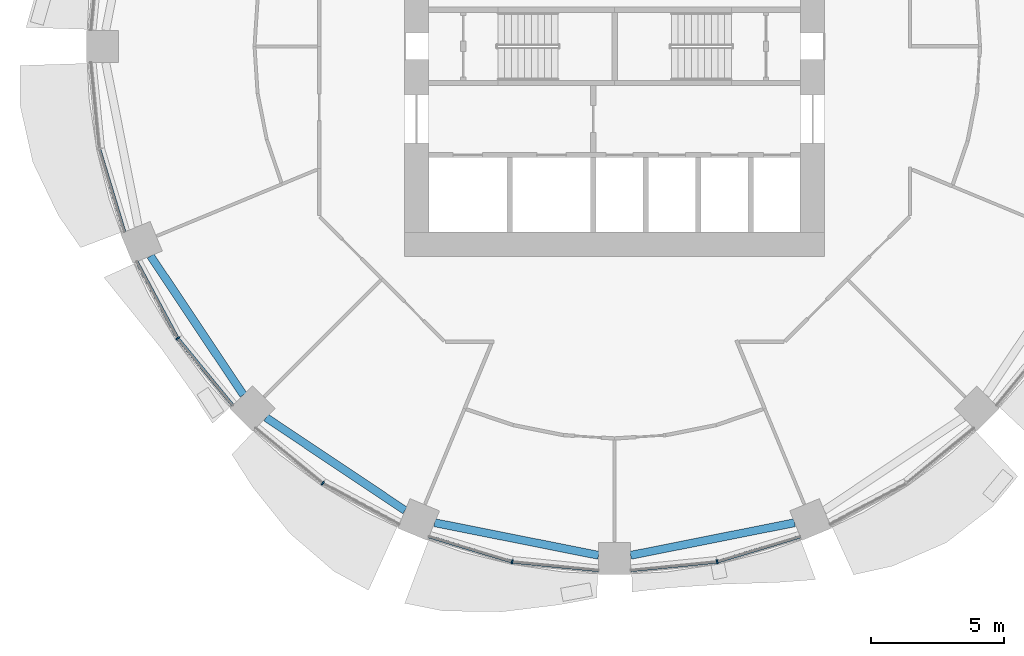
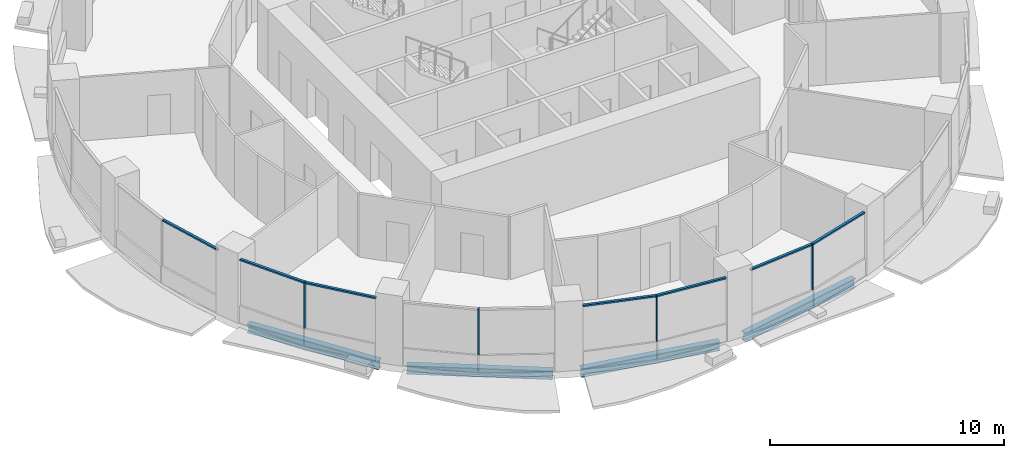
# One storey, part 2 of 15: 11 members, 4 beams, 5 elements without a shape of their own.
"""IFC4 building model written with IfcOpenShell, lengths in metres."""

from ifc_helpers import new_model, si_unit, direction, frame, origin, origin_2d, place, context, subcontext, project, spatial, rectangle, i_section, extrude, material, material_profile, profile_set, type_object, element, aggregate, save


model = new_model("IFC4")

# Units and contexts
model_context = context("Model", 3, precision=1e-05, world=origin(), true_north=direction((0.0, 1.0)))
body_context = subcontext(model_context, "Body", "Model", "MODEL_VIEW")
ifc_project = project(units=[si_unit("LENGTHUNIT", "METRE"), si_unit("AREAUNIT", "SQUARE_METRE"), si_unit("VOLUMEUNIT", "CUBIC_METRE"), si_unit("PLANEANGLEUNIT", "RADIAN"), si_unit("MASSUNIT", "GRAM", prefix="KILO")], contexts=[model_context])

# Site, building, storey
site_placement = place(None, origin())
site = spatial("IfcSite", under=ifc_project, at=site_placement, CompositionType="ELEMENT")
building_placement = place(site_placement, origin())
building = spatial("IfcBuilding", under=site, at=building_placement, Name="Polderwave Tower", CompositionType="ELEMENT")
storey_placement = place(building_placement, frame((0.0, 0.0, 29.85009765625)))
storey = spatial("IfcBuildingStorey", under=building, at=storey_placement, Name="L07", CompositionType="ELEMENT", Elevation=29.85009765625)

# Curtain wall, member
ifc_material_1 = material(Name="Aluminium 6063-T6 and glass", Category="aluminium")
curtain_wall_type = type_object("IfcCurtainWallType", Name="Growing floor ribbon glazing wall", PredefinedType="NOTDEFINED", material=ifc_material_1)
curtain_wall_1_placement = place(storey_placement, origin())
curtain_wall_1 = element("IfcCurtainWall", 1, at=curtain_wall_1_placement, inside=storey, type_object=curtain_wall_type, Name="CW2 L07 09", PredefinedType="NOTDEFINED")
ifc_material_2 = material(Name="Aluminium 6063-T6", Category="aluminium")
ifc_material_profile_1 = material_profile(ifc_material_2, rectangle(XDim=0.14990234375, YDim=0.06005859375, at=origin_2d()), Name="AL 60x150")
ifc_profile_set_1 = profile_set([ifc_material_profile_1], Name="Aluminium 6063-T6")
member_type_1 = type_object("IfcMemberType", Name="Growing floor ribbon glazing mullion 60x150", PredefinedType="MULLION", material=ifc_profile_set_1)
member_1_placement = place(storey_placement, frame((-16.3798828125, -10.945068359375, 0.89990234375), z_axis=(0.0, 0.0, 1.0), x_axis=(0.831436642637, 0.555619572441, 0.0)))
member_1 = element("IfcMember", 2, at=member_1_placement, type_object=member_type_1, Name="CW2 mullion 1", PredefinedType="MULLION", context=body_context, shape_type="SweptSolid", body=[
    extrude(rectangle(XDim=0.14990234375, YDim=0.06005859375, at=origin_2d()), origin(), (0.0, 0.0, 1.0), 2.39990234375),
])

curtain_wall_2_placement = place(storey_placement, origin())
curtain_wall_2 = element("IfcCurtainWall", 3, at=curtain_wall_2_placement, inside=storey, type_object=curtain_wall_type, Name="CW2 L07 10", PredefinedType="NOTDEFINED")
member_2_placement = place(storey_placement, frame((-10.945068359375, -16.3798828125, 0.89990234375), z_axis=(0.0, 0.0, 1.0), x_axis=(0.555619572441, 0.831436642637, 0.0)))
member_2 = element("IfcMember", 4, at=member_2_placement, type_object=member_type_1, Name="CW2 mullion 1", PredefinedType="MULLION", context=body_context, shape_type="SweptSolid", body=[
    extrude(rectangle(XDim=0.14990234375, YDim=0.06005859375, at=origin_2d()), origin(), (0.0, 0.0, 1.0), 2.39990234375),
])
aggregate(curtain_wall_2, [member_2])

curtain_wall_3_placement = place(storey_placement, origin())
curtain_wall_3 = element("IfcCurtainWall", 5, at=curtain_wall_3_placement, inside=storey, type_object=curtain_wall_type, Name="CW2 L07 11", PredefinedType="NOTDEFINED")
member_3_placement = place(storey_placement, frame((-3.843017578125, -19.321044921875, 0.89990234375), z_axis=(0.0, 0.0, 1.0), x_axis=(0.19515879327, 0.980771658139, 0.0)))
member_3 = element("IfcMember", 6, at=member_3_placement, type_object=member_type_1, Name="CW2 mullion 1", PredefinedType="MULLION", context=body_context, shape_type="SweptSolid", body=[
    extrude(rectangle(XDim=0.14990234375, YDim=0.06005859375, at=origin_2d()), origin(), (0.0, 0.0, 1.0), 2.39990234375),
])

curtain_wall_4_placement = place(storey_placement, origin())
curtain_wall_4 = element("IfcCurtainWall", 7, at=curtain_wall_4_placement, inside=storey, type_object=curtain_wall_type, Name="CW2 L07 12", PredefinedType="NOTDEFINED")
member_4_placement = place(storey_placement, frame((3.843017578125, -19.321044921875, 0.89990234375), z_axis=(0.0, 0.0, 1.0), x_axis=(-0.19515879327, 0.980771658139, 0.0)))
member_4 = element("IfcMember", 8, at=member_4_placement, type_object=member_type_1, Name="CW2 mullion 1", PredefinedType="MULLION", context=body_context, shape_type="SweptSolid", body=[
    extrude(rectangle(XDim=0.14990234375, YDim=0.06005859375, at=origin_2d()), origin(), (0.0, 0.0, 1.0), 2.39990234375),
])

curtain_wall_5_placement = place(storey_placement, origin())
curtain_wall_5 = element("IfcCurtainWall", 9, at=curtain_wall_5_placement, inside=storey, type_object=curtain_wall_type, Name="CW2 L07 08", PredefinedType="NOTDEFINED")
ifc_material_profile_2 = material_profile(ifc_material_2, rectangle(XDim=0.1201171875, YDim=0.080078125, at=origin_2d()), Name="AL 80x120")
ifc_profile_set_2 = profile_set([ifc_material_profile_2], Name="Aluminium 6063-T6")
member_type_2 = type_object("IfcMemberType", Name="Growing floor ribbon glazing transom 80x120", PredefinedType="USERDEFINED", material=ifc_profile_set_2)
member_5_placement = place(storey_placement, frame((-19.312255859375, -3.87158203125, 3.260009765625), z_axis=(0.290231901029, -0.956956343636, 0.0), x_axis=(0.956956343636, 0.290231901029, 0.0)))
member_5 = element("IfcMember", 10, at=member_5_placement, type_object=member_type_2, Name="CW2 transom 2", ObjectType="TRANSOM", PredefinedType="USERDEFINED", context=body_context, shape_type="SweptSolid", body=[
    extrude(rectangle(XDim=0.1201171875, YDim=0.080078125, at=origin_2d()), origin(), (0.0, 0.0, 1.0), 3.229248046875),
])
aggregate(curtain_wall_5, [member_5])

# Member
member_6_placement = place(storey_placement, frame((-17.916015625, -8.071044921875, 3.260009765625), z_axis=(0.471396538118, -0.88192137056, 0.0), x_axis=(0.88192137056, 0.471396538118, 0.0)))
member_6 = element("IfcMember", 11, at=member_6_placement, type_object=member_type_2, Name="CW2 transom 1", ObjectType="TRANSOM", PredefinedType="USERDEFINED", context=body_context, shape_type="SweptSolid", body=[
    extrude(rectangle(XDim=0.1201171875, YDim=0.080078125, at=origin_2d()), origin(), (0.0, 0.0, 1.0), 3.228759765625),
])

member_7_placement = place(storey_placement, frame((-16.361083984375, -10.96826171875, 3.260009765625), z_axis=(0.634537869946, -0.772891772245, 0.0), x_axis=(0.772891772245, 0.634537869946, 0.0)))
member_7 = element("IfcMember", 12, at=member_7_placement, type_object=member_type_2, Name="CW2 transom 2", ObjectType="TRANSOM", PredefinedType="USERDEFINED", context=body_context, shape_type="SweptSolid", body=[
    extrude(rectangle(XDim=0.1201171875, YDim=0.080078125, at=origin_2d()), origin(), (0.0, 0.0, 1.0), 3.229248046875),
])

aggregate(curtain_wall_1, [member_1, member_6, member_7])

member_8_placement = place(storey_placement, frame((-6.9619140625, -18.375, 3.260009765625), z_axis=(0.956956343636, -0.290231901029, 0.0), x_axis=(0.290231901029, 0.956956343636, 0.0)))
member_8 = element("IfcMember", 13, at=member_8_placement, type_object=member_type_2, Name="CW2 transom 1", ObjectType="TRANSOM", PredefinedType="USERDEFINED", context=body_context, shape_type="SweptSolid", body=[
    extrude(rectangle(XDim=0.1201171875, YDim=0.080078125, at=origin_2d()), origin(), (0.0, 0.0, 1.0), 3.229248046875),
])

member_9_placement = place(storey_placement, frame((-3.81298828125, -19.323974609375, 3.260009765625), z_axis=(0.995163657896, -0.098230820031, 0.0), x_axis=(0.098230820031, 0.995163657896, 0.0)))
member_9 = element("IfcMember", 14, at=member_9_placement, type_object=member_type_2, Name="CW2 transom 2", ObjectType="TRANSOM", PredefinedType="USERDEFINED", context=body_context, shape_type="SweptSolid", body=[
    extrude(rectangle(XDim=0.1201171875, YDim=0.080078125, at=origin_2d()), origin(), (0.0, 0.0, 1.0), 3.228515625),
])

aggregate(curtain_wall_3, [member_3, member_8, member_9])

member_10_placement = place(storey_placement, frame((0.60009765625, -19.64111328125, 3.260009765625), z_axis=(0.995163657896, 0.098230820031, 0.0), x_axis=(-0.098230820031, 0.995163657896, 0.0)))
member_10 = element("IfcMember", 15, at=member_10_placement, type_object=member_type_2, Name="CW2 transom 1", ObjectType="TRANSOM", PredefinedType="USERDEFINED", context=body_context, shape_type="SweptSolid", body=[
    extrude(rectangle(XDim=0.1201171875, YDim=0.080078125, at=origin_2d()), origin(), (0.0, 0.0, 1.0), 3.228515625),
])

member_11_placement = place(storey_placement, frame((3.87158203125, -19.312255859375, 3.260009765625), z_axis=(0.956956343636, 0.290231901029, 0.0), x_axis=(-0.290231901029, 0.956956343636, 0.0)))
member_11 = element("IfcMember", 16, at=member_11_placement, type_object=member_type_2, Name="CW2 transom 2", ObjectType="TRANSOM", PredefinedType="USERDEFINED", context=body_context, shape_type="SweptSolid", body=[
    extrude(rectangle(XDim=0.1201171875, YDim=0.080078125, at=origin_2d()), origin(), (0.0, 0.0, 1.0), 3.229248046875),
])

aggregate(curtain_wall_4, [member_4, member_10, member_11])

# Beams
ifc_material_3 = material(Name="Steel S355", Category="steel")
ifc_material_profile_3 = material_profile(ifc_material_3, i_section(OverallWidth=0.300048828125, OverallDepth=0.449951171875, WebThickness=0.013916015625, FlangeThickness=0.02587890625, at=origin_2d()), Name="HE 450 B")
ifc_profile_set_3 = profile_set([ifc_material_profile_3], Name="Steel S355")
beam_type = type_object("IfcBeamType", Name="RING BEAM HE 450 B", PredefinedType="BEAM", material=ifc_profile_set_3)
for number, where, z_axis, x_axis, name in (
    (17, (-17.398681640625, -7.856201171875, -0.5751953125), (0.555580751359, -0.831462584076, 0.0), (0.831462584076, 0.555580751359, 0.0), "ST-RB-L07-09"),
    (18, (-13.06787109375, -13.916259765625, -0.5751953125), (0.831462584076, -0.555580751359, 0.0), (0.555580751359, 0.831462584076, 0.0), "ST-RB-L07-10"),
):
    element("IfcBeam", number, at=place(storey_placement, frame(where, z_axis=z_axis, x_axis=x_axis)), inside=storey, type_object=beam_type, Name=name, PredefinedType="BEAM", context=body_context, shape_type="SweptSolid", body=[
        extrude(i_section(OverallWidth=0.300048828125, OverallDepth=0.449951171875, WebThickness=0.013916015625, FlangeThickness=0.02587890625, at=origin_2d()), origin(), (0.0, 0.0, 1.0), 6.26806640625),
    ])
for number, where, z_axis, x_axis, name in (
    (19, (-6.74755859375, -17.85791015625, -0.5751953125), (0.98078985187, -0.195067338291, 0.0), (0.195067338291, 0.98078985187, 0.0), "ST-RB-L07-11"),
    (20, (0.60009765625, -19.08056640625, -0.5751953125), (0.98078985187, 0.195067338291, 0.0), (-0.195067338291, 0.98078985187, 0.0), "ST-RB-L07-12"),
):
    element("IfcBeam", number, at=place(storey_placement, frame(where, z_axis=z_axis, x_axis=x_axis)), inside=storey, type_object=beam_type, Name=name, PredefinedType="BEAM", context=body_context, shape_type="SweptSolid", body=[
        extrude(i_section(OverallWidth=0.300048828125, OverallDepth=0.449951171875, WebThickness=0.013916015625, FlangeThickness=0.02587890625, at=origin_2d()), origin(), (0.0, 0.0, 1.0), 6.267822265625),
    ])

save(model, "model.ifc")
